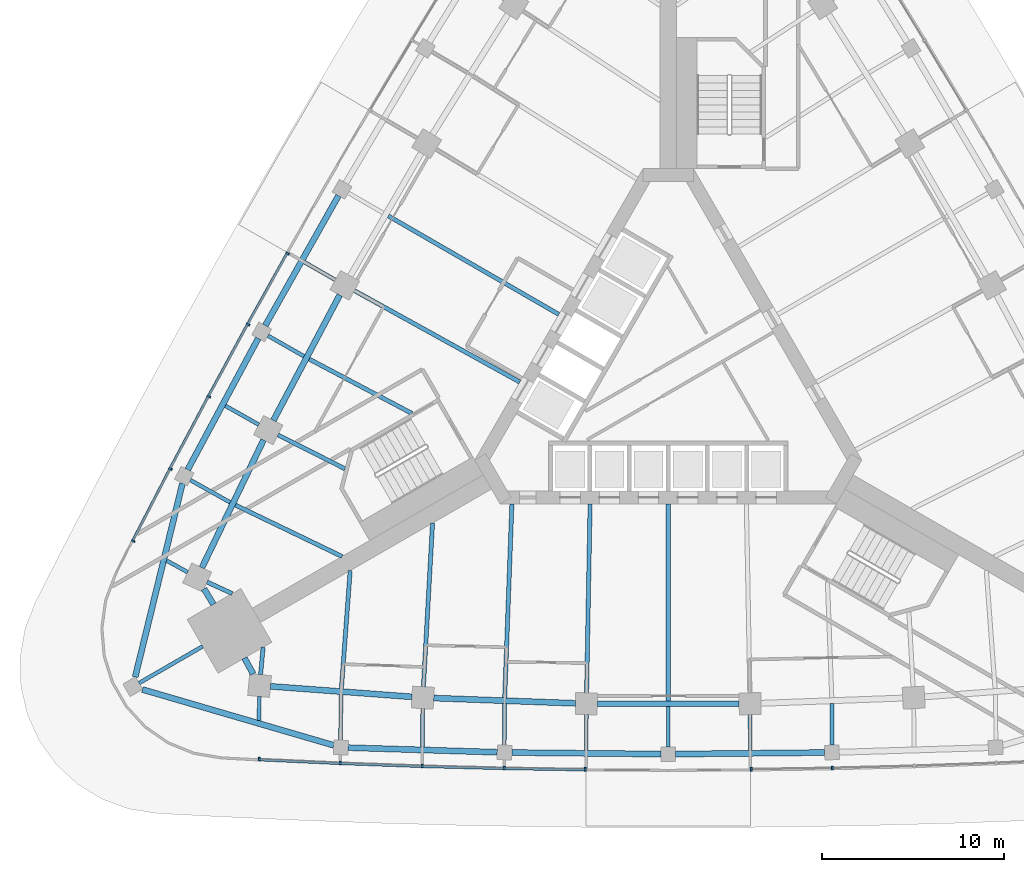
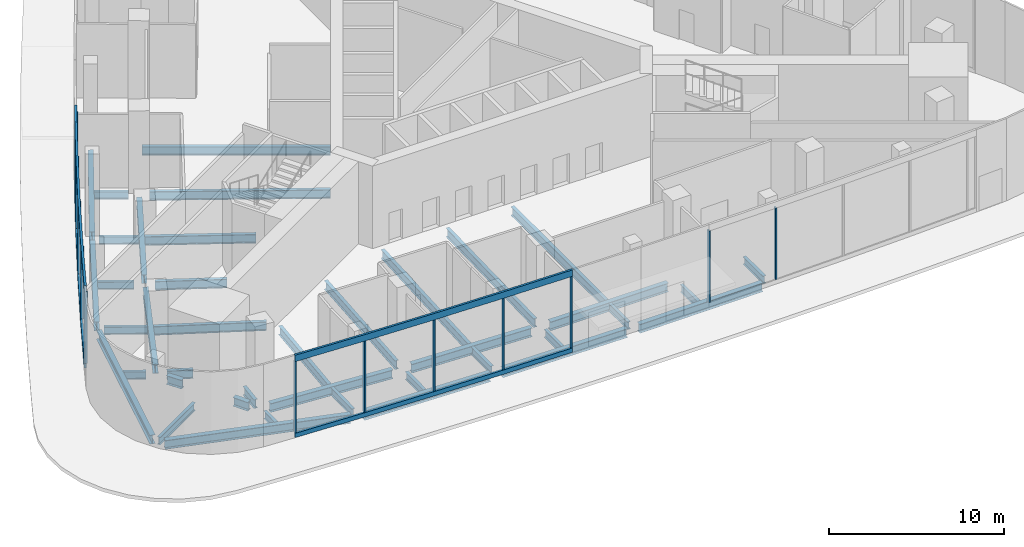
# One storey, part 2 of 14: 40 beams, 16 members, 3 elements without a shape of their own.
"""IFC4 building model written with IfcOpenShell, lengths in metres."""

from ifc_helpers import new_model, si_unit, direction, frame, origin, origin_2d, place, context, subcontext, project, spatial, polyline, rectangle, i_section, outline, extrude, material, material_profile, profile_set, type_object, element, aggregate, save


model = new_model("IFC4")

# Units and contexts
model_context = context("Model", 3, precision=1e-05, world=origin(), true_north=direction((0.0, 1.0)))
body_context = subcontext(model_context, "Body", "Model", "MODEL_VIEW")
ifc_project = project(units=[si_unit("LENGTHUNIT", "METRE"), si_unit("AREAUNIT", "SQUARE_METRE"), si_unit("VOLUMEUNIT", "CUBIC_METRE"), si_unit("PLANEANGLEUNIT", "RADIAN"), si_unit("MASSUNIT", "GRAM", prefix="KILO")], contexts=[model_context])

# Site, building, storey
site_placement = place(None, origin())
site = spatial("IfcSite", under=ifc_project, at=site_placement, CompositionType="ELEMENT")
building_placement = place(site_placement, origin())
building = spatial("IfcBuilding", under=site, at=building_placement, Name="Noor Cloister Tower", CompositionType="ELEMENT")
storey_placement = place(building_placement, origin())
storey = spatial("IfcBuildingStorey", under=building, at=storey_placement, Name="L00", CompositionType="ELEMENT", Elevation=0.0)

# Curtain wall, member
ifc_material_1 = material(Name="Aluminium 6063-T6 anodised", Category="aluminium")
curtain_wall_type = type_object("IfcCurtainWallType", Name="Station shopfront CW4", PredefinedType="NOTDEFINED", material=ifc_material_1)
curtain_wall_1_placement = place(storey_placement, origin())
curtain_wall_1 = element("IfcCurtainWall", 1, at=curtain_wall_1_placement, inside=storey, type_object=curtain_wall_type, Name="CW4 L00 NW shopfront 2", PredefinedType="NOTDEFINED")
ifc_material_2 = material(Name="Aluminium 6063-T6 anodised", Category="aluminium")
member_type_1 = type_object("IfcMemberType", Name="Head transom CW4 450", PredefinedType="USERDEFINED", material=ifc_material_2)
member_1_placement = place(storey_placement, frame((0.0, 0.0, 5.300048828125)))
member_1 = element("IfcMember", 2, at=member_1_placement, type_object=member_type_1, Name="CW4 head transom", ObjectType="TRANSOM", PredefinedType="USERDEFINED", context=body_context, shape_type="SweptSolid", body=[
    extrude(outline(polyline([(-20.9423828125, 6.89501953125), (-23.132080078125, 2.963623046875), (-25.28125, -0.98974609375), (-27.389892578125, -4.96533203125), (-29.457275390625, -8.962158203125), (-29.3330078125, -9.0263671875), (-27.265869140625, -5.0302734375), (-25.157958984375, -1.05615234375), (-23.009521484375, 2.896240234375), (-20.820068359375, 6.826904296875), (-20.9423828125, 6.89501953125)])), origin(), (0.0, 0.0, 1.0), 0.449951171875),
])

curtain_wall_2_placement = place(storey_placement, origin())
curtain_wall_2 = element("IfcCurtainWall", 3, at=curtain_wall_2_placement, inside=storey, type_object=curtain_wall_type, Name="CW4 L00 S shopfront 5", PredefinedType="NOTDEFINED")
member_2_placement = place(storey_placement, frame((0.0, 0.0, 5.300048828125)))
member_2 = element("IfcMember", 4, at=member_2_placement, type_object=member_type_1, Name="CW4 head transom", ObjectType="TRANSOM", PredefinedType="USERDEFINED", context=body_context, shape_type="SweptSolid", body=[
    extrude(outline(polyline([(-22.490234375, -21.02978515625), (-17.994873046875, -21.237548828125), (-13.497802734375, -21.3994140625), (-8.999267578125, -21.514892578125), (-4.5, -21.584228515625), (-4.497802734375, -21.444091796875), (-8.99658203125, -21.374755859375), (-13.49365234375, -21.25927734375), (-17.9892578125, -21.09765625), (-22.483642578125, -20.889892578125), (-22.490234375, -21.02978515625)])), origin(), (0.0, 0.0, 1.0), 0.449951171875),
])

# Member
ifc_material_3 = material(Name="Aluminium 6063-T6 anodised", Category="aluminium")
ifc_material_profile_1 = material_profile(ifc_material_3, rectangle(XDim=0.199951171875, YDim=0.10009765625, at=origin_2d()), Name="200 x 100 mullion")
ifc_profile_set_1 = profile_set([ifc_material_profile_1], Name="Aluminium 6063-T6 anodised")
member_type_2 = type_object("IfcMemberType", Name="Mullion CW4 100 x 200", PredefinedType="MULLION", material=ifc_profile_set_1)
member_3_placement = place(storey_placement, frame((-20.87939453125, 6.802734375, 0.300048828125), z_axis=(0.0, 0.0, 1.0), x_axis=(0.873624319016, -0.486601016464, 0.0)))
member_3 = element("IfcMember", 5, at=member_3_placement, type_object=member_type_2, Name="CW4 mullion 1", PredefinedType="MULLION", context=body_context, shape_type="SweptSolid", body=[
    extrude(rectangle(XDim=0.199951171875, YDim=0.10009765625, at=origin_2d()), origin(), (0.0, 0.0, 1.0), 5.0),
])

member_4_placement = place(storey_placement, frame((-23.04443359375, 2.91552734375, 0.300048828125), z_axis=(0.0, 0.0, 1.0), x_axis=(0.876111311066, -0.482108878391, 0.0)))
member_4 = element("IfcMember", 6, at=member_4_placement, type_object=member_type_2, Name="CW4 mullion 2", PredefinedType="MULLION", context=body_context, shape_type="SweptSolid", body=[
    extrude(rectangle(XDim=0.199951171875, YDim=0.10009765625, at=origin_2d()), origin(), (0.0, 0.0, 1.0), 5.0),
])

member_5_placement = place(storey_placement, frame((-25.193115234375, -1.037109375, 0.300048828125), z_axis=(0.0, 0.0, 1.0), x_axis=(0.881015943926, -0.473086574052, 0.0)))
member_5 = element("IfcMember", 7, at=member_5_placement, type_object=member_type_2, Name="CW4 mullion 3", PredefinedType="MULLION", context=body_context, shape_type="SweptSolid", body=[
    extrude(rectangle(XDim=0.199951171875, YDim=0.10009765625, at=origin_2d()), origin(), (0.0, 0.0, 1.0), 5.0),
])

member_6_placement = place(storey_placement, frame((-27.30126953125, -5.01171875, 0.300048828125), z_axis=(0.0, 0.0, 1.0), x_axis=(0.885827659038, -0.464014394695, 0.0)))
member_6 = element("IfcMember", 8, at=member_6_placement, type_object=member_type_2, Name="CW4 mullion 4", PredefinedType="MULLION", context=body_context, shape_type="SweptSolid", body=[
    extrude(rectangle(XDim=0.199951171875, YDim=0.10009765625, at=origin_2d()), origin(), (0.0, 0.0, 1.0), 5.0),
])

member_7_placement = place(storey_placement, frame((-29.345458984375, -8.963623046875, 0.300048828125), z_axis=(0.0, 0.0, 1.0), x_axis=(0.888198524656, -0.459459879422, 0.0)))
member_7 = element("IfcMember", 9, at=member_7_placement, type_object=member_type_2, Name="CW4 mullion 5", PredefinedType="MULLION", context=body_context, shape_type="SweptSolid", body=[
    extrude(rectangle(XDim=0.199951171875, YDim=0.10009765625, at=origin_2d()), origin(), (0.0, 0.0, 1.0), 5.0),
])

member_8_placement = place(storey_placement, frame((-22.435546875, -20.93212890625, 0.300048828125), z_axis=(0.0, 0.0, 1.0), x_axis=(0.046195334729, 0.998932425667, 0.0)))
member_8 = element("IfcMember", 10, at=member_8_placement, type_object=member_type_2, Name="CW4 mullion 1", PredefinedType="MULLION", context=body_context, shape_type="SweptSolid", body=[
    extrude(rectangle(XDim=0.199951171875, YDim=0.10009765625, at=origin_2d()), origin(), (0.0, 0.0, 1.0), 5.0),
])

member_9_placement = place(storey_placement, frame((-17.99072265625, -21.1376953125, 0.300048828125), z_axis=(0.0, 0.0, 1.0), x_axis=(0.041065575991, 0.999156453449, 0.0)))
member_9 = element("IfcMember", 11, at=member_9_placement, type_object=member_type_2, Name="CW4 mullion 2", PredefinedType="MULLION", context=body_context, shape_type="SweptSolid", body=[
    extrude(rectangle(XDim=0.199951171875, YDim=0.10009765625, at=origin_2d()), origin(), (0.0, 0.0, 1.0), 5.0),
])

member_10_placement = place(storey_placement, frame((-13.494873046875, -21.29931640625, 0.300048828125), z_axis=(0.0, 0.0, 1.0), x_axis=(0.030802980644, 0.999525475605, 0.0)))
member_10 = element("IfcMember", 12, at=member_10_placement, type_object=member_type_2, Name="CW4 mullion 3", PredefinedType="MULLION", context=body_context, shape_type="SweptSolid", body=[
    extrude(rectangle(XDim=0.199951171875, YDim=0.10009765625, at=origin_2d()), origin(), (0.0, 0.0, 1.0), 5.0),
])

member_11_placement = place(storey_placement, frame((-8.997314453125, -21.414794921875, 0.300048828125), z_axis=(0.0, 0.0, 1.0), x_axis=(0.020537119456, 0.999789091121, 0.0)))
member_11 = element("IfcMember", 13, at=member_11_placement, type_object=member_type_2, Name="CW4 mullion 4", PredefinedType="MULLION", context=body_context, shape_type="SweptSolid", body=[
    extrude(rectangle(XDim=0.199951171875, YDim=0.10009765625, at=origin_2d()), origin(), (0.0, 0.0, 1.0), 5.0),
])

member_12_placement = place(storey_placement, frame((-4.54833984375, -21.4833984375, 0.300048828125), z_axis=(0.0, 0.0, 1.0), x_axis=(0.015403317743, 0.999881361864, 0.0)))
member_12 = element("IfcMember", 14, at=member_12_placement, type_object=member_type_2, Name="CW4 mullion 5", PredefinedType="MULLION", context=body_context, shape_type="SweptSolid", body=[
    extrude(rectangle(XDim=0.199951171875, YDim=0.10009765625, at=origin_2d()), origin(), (0.0, 0.0, 1.0), 5.0),
])

# Curtain wall, members
curtain_wall_3_placement = place(storey_placement, origin())
curtain_wall_3 = element("IfcCurtainWall", 15, at=curtain_wall_3_placement, inside=storey, type_object=curtain_wall_type, Name="CW4 L00 S shopfront 6", PredefinedType="NOTDEFINED")
member_13_placement = place(storey_placement, frame((4.54833984375, -21.4833984375, 0.300048828125), z_axis=(0.0, 0.0, 1.0), x_axis=(-0.015403317743, 0.999881361864, 0.0)))
member_13 = element("IfcMember", 16, at=member_13_placement, type_object=member_type_2, Name="CW4 mullion 1", PredefinedType="MULLION", context=body_context, shape_type="SweptSolid", body=[
    extrude(rectangle(XDim=0.199951171875, YDim=0.10009765625, at=origin_2d()), origin(), (0.0, 0.0, 1.0), 5.0),
])
member_14_placement = place(storey_placement, frame((8.997314453125, -21.414794921875, 0.300048828125), z_axis=(0.0, 0.0, 1.0), x_axis=(-0.020537119456, 0.999789091121, 0.0)))
member_14 = element("IfcMember", 17, at=member_14_placement, type_object=member_type_2, Name="CW4 mullion 2", PredefinedType="MULLION", context=body_context, shape_type="SweptSolid", body=[
    extrude(rectangle(XDim=0.199951171875, YDim=0.10009765625, at=origin_2d()), origin(), (0.0, 0.0, 1.0), 5.0),
])
aggregate(curtain_wall_3, [member_13, member_14])

# Beams
ifc_material_4 = material(Name="Steel ASTM A992 Gr 50", Category="steel")
ifc_material_profile_2 = material_profile(ifc_material_4, i_section(OverallWidth=0.324951171875, OverallDepth=0.612060546875, WebThickness=0.0126953125, FlangeThickness=0.01904296875, FilletRadius=0.0126953125, at=origin_2d()), Name="W610x155")
ifc_profile_set_2 = profile_set([ifc_material_profile_2], Name="Steel ASTM A992 Gr 50")
beam_type_1 = type_object("IfcBeamType", Name="Podium column line beam W610x155", PredefinedType="BEAM", material=ifc_profile_set_2)
for number, where, z_axis, x_axis, name in (
    (18, (-18.019775390625, 4.527099609375, -0.555908203125), (-0.467547366886, -0.883968019624, 0.0), (0.883968019624, -0.467547366886, 0.0), "Podium column line beam NW 06 L00"),
    (19, (-22.197998046875, -3.420166015625, -0.555908203125), (-0.434400589533, -0.900719783181, 0.0), (0.900719783181, -0.434400589533, 0.0), "Podium column line beam NW 08 L00"),
):
    element("IfcBeam", number, at=place(storey_placement, frame(where, z_axis=z_axis, x_axis=x_axis)), inside=storey, type_object=beam_type_1, Name=name, PredefinedType="BEAM", context=body_context, shape_type="SweptSolid", body=[
        extrude(i_section(OverallWidth=0.324951171875, OverallDepth=0.612060546875, WebThickness=0.0126953125, FlangeThickness=0.01904296875, FilletRadius=0.0126953125, at=origin_2d()), origin(), (0.0, 0.0, 1.0), 7.77880859375),
    ])
for number, where, z_axis, x_axis, name in (
    (20, (-21.818359375, -16.93701171875, -0.555908203125), (0.997246218275, -0.074161850945, 0.0), (0.074161850945, 0.997246218275, 0.0), "Podium column line beam S 00 L00"),
    (21, (-12.86279296875, -17.58056640625, -0.555908203125), (0.999311691731, -0.037096398343, 0.0), (0.037096398343, 0.999311691731, 0.0), "Podium column line beam S 02 L00"),
):
    element("IfcBeam", number, at=place(storey_placement, frame(where, z_axis=z_axis, x_axis=x_axis)), inside=storey, type_object=beam_type_1, Name=name, PredefinedType="BEAM", context=body_context, shape_type="SweptSolid", body=[
        extrude(i_section(OverallWidth=0.324951171875, OverallDepth=0.612060546875, WebThickness=0.0126953125, FlangeThickness=0.01904296875, FilletRadius=0.0126953125, at=origin_2d()), origin(), (0.0, 0.0, 1.0), 7.779052734375),
    ])
beam_1_placement = place(storey_placement, frame((-3.889404296875, -17.8916015625, -0.555908203125), z_axis=(1.0, 0.0, 0.0), x_axis=(0.0, 1.0, 0.0)))
element("IfcBeam", 22, at=beam_1_placement, inside=storey, type_object=beam_type_1, Name="Podium column line beam S 04 L00", PredefinedType="BEAM", context=body_context, shape_type="SweptSolid", body=[
    extrude(i_section(OverallWidth=0.324951171875, OverallDepth=0.612060546875, WebThickness=0.0126953125, FlangeThickness=0.01904296875, FilletRadius=0.0126953125, at=origin_2d()), origin(), (0.0, 0.0, 1.0), 7.77880859375),
])
for number, where, z_axis, x_axis, name in (
    (23, (-25.46240234375, -11.58740234375, -0.555908203125), (0.517698861359, -0.855562907651, 0.0), (0.855562907651, 0.517698861359, 0.0), "Podium end beam NW 10 L00"),
    (24, (-22.76611328125, -16.257568359375, -0.555908203125), (-0.48185292196, 0.876252110753, 0.0), (-0.876252110753, -0.48185292196, 0.0), "Podium end beam S 00 L00"),
):
    element("IfcBeam", number, at=place(storey_placement, frame(where, z_axis=z_axis, x_axis=x_axis)), inside=storey, type_object=beam_type_1, Name=name, PredefinedType="BEAM", context=body_context, shape_type="SweptSolid", body=[
        extrude(i_section(OverallWidth=0.324951171875, OverallDepth=0.612060546875, WebThickness=0.0126953125, FlangeThickness=0.01904296875, FilletRadius=0.0126953125, at=origin_2d()), origin(), (0.0, 0.0, 1.0), 0.99658203125),
    ])
ifc_material_5 = material(Name="Steel ASTM A992 Gr 50", Category="steel")
ifc_material_profile_3 = material_profile(ifc_material_5, i_section(OverallWidth=0.324951171875, OverallDepth=0.616943359375, WebThickness=0.013916015625, FlangeThickness=0.021484375, FilletRadius=0.0126953125, at=origin_2d()), Name="W610x174")
ifc_profile_set_3 = profile_set([ifc_material_profile_3], Name="Steel ASTM A992 Gr 50")
beam_type_2 = type_object("IfcBeamType", Name="Podium perimeter beam W610x174", PredefinedType="BEAM", material=ifc_profile_set_3)
for number, where, z_axis, x_axis, name in (
    (25, (-18.086181640625, 9.980224609375, -0.55859375), (-0.491071539523, -0.871119247331, 0.0), (0.871119247331, -0.491071539523, 0.0), "Podium perimeter beam 04 L00"),
    (26, (-22.489013671875, 2.1533203125, -0.55859375), (-0.47307258725, -0.881023454394, 0.0), (0.881023454394, -0.47307258725, 0.0), "Podium perimeter beam 05 L00"),
):
    element("IfcBeam", number, at=place(storey_placement, frame(where, z_axis=z_axis, x_axis=x_axis)), inside=storey, type_object=beam_type_2, Name=name, PredefinedType="BEAM", context=body_context, shape_type="SweptSolid", body=[
        extrude(i_section(OverallWidth=0.324951171875, OverallDepth=0.616943359375, WebThickness=0.013916015625, FlangeThickness=0.021484375, FilletRadius=0.0126953125, at=origin_2d()), origin(), (0.0, 0.0, 1.0), 8.18017578125),
    ])
for number, where, z_axis, x_axis, name in (
    (27, (-26.64599609375, -5.806396484375, -0.55859375), (-0.237289539542, -0.971438971024, 0.0), (0.971438971024, -0.237289539542, 0.0), "Podium perimeter beam 06 L00"),
    (28, (-28.83837890625, -17.111572265625, -0.55859375), (0.959935397728, -0.280221398522, 0.0), (0.280221398522, 0.959935397728, 0.0), "Podium perimeter beam 07 L00"),
):
    element("IfcBeam", number, at=place(storey_placement, frame(where, z_axis=z_axis, x_axis=x_axis)), inside=storey, type_object=beam_type_2, Name=name, PredefinedType="BEAM", context=body_context, shape_type="SweptSolid", body=[
        extrude(i_section(OverallWidth=0.324951171875, OverallDepth=0.616943359375, WebThickness=0.013916015625, FlangeThickness=0.021484375, FilletRadius=0.0126953125, at=origin_2d()), origin(), (0.0, 0.0, 1.0), 10.924560546875),
    ])
for number, where, z_axis, x_axis, name in (
    (29, (-17.55615234375, -20.30078125, -0.55859375), (0.999525578868, -0.030799629673, 0.0), (0.030799629673, 0.999525578868, 0.0), "Podium perimeter beam 08 L00"),
    (30, (-8.579833984375, -20.569091796875, -0.55859375), (0.999947297246, -0.010266583204, 0.0), (0.010266583204, 0.999947297246, 0.0), "Podium perimeter beam 09 L00"),
    (31, (0.39990234375, -20.653076171875, -0.55859375), (0.999947297246, 0.010266583204, 0.0), (-0.010266583204, 0.999947297246, 0.0), "Podium perimeter beam 10 L00"),
):
    element("IfcBeam", number, at=place(storey_placement, frame(where, z_axis=z_axis, x_axis=x_axis)), inside=storey, type_object=beam_type_2, Name=name, PredefinedType="BEAM", context=body_context, shape_type="SweptSolid", body=[
        extrude(i_section(OverallWidth=0.324951171875, OverallDepth=0.616943359375, WebThickness=0.013916015625, FlangeThickness=0.021484375, FilletRadius=0.0126953125, at=origin_2d()), origin(), (0.0, 0.0, 1.0), 8.180419921875),
    ])
ifc_material_6 = material(Name="Steel ASTM A992 Gr 50", Category="steel")
ifc_material_profile_4 = material_profile(ifc_material_6, i_section(OverallWidth=0.22900390625, OverallDepth=0.612060546875, WebThickness=0.011962890625, FlangeThickness=0.01953125, FilletRadius=0.0126953125, at=origin_2d()), Name="W610x125")
ifc_profile_set_4 = profile_set([ifc_material_profile_4], Name="Steel ASTM A992 Gr 50")
beam_type_3 = type_object("IfcBeamType", Name="Podium radial beam W610x125", PredefinedType="BEAM", material=ifc_profile_set_4)
beam_2_placement = place(storey_placement, frame((-15.353759765625, 8.864501953125, -0.555908203125), z_axis=(0.866025607992, -0.499999646302, 0.0), x_axis=(0.499999646302, 0.866025607992, 0.0)))
element("IfcBeam", 32, at=beam_2_placement, inside=storey, type_object=beam_type_3, Name="Podium radial beam NW 05 L00", PredefinedType="BEAM", context=body_context, shape_type="SweptSolid", body=[
    extrude(i_section(OverallWidth=0.22900390625, OverallDepth=0.612060546875, WebThickness=0.011962890625, FlangeThickness=0.01953125, FilletRadius=0.0126953125, at=origin_2d()), origin(), (0.0, 0.0, 1.0), 10.80078125),
])
beam_3_placement = place(storey_placement, frame((-17.214111328125, 4.767333984375, -0.555908203125), z_axis=(0.875152039929, -0.483848020568, 0.0), x_axis=(0.483848020568, 0.875152039929, 0.0)))
element("IfcBeam", 33, at=beam_3_placement, inside=storey, type_object=beam_type_3, Name="Podium radial beam NW 06 L00", PredefinedType="BEAM", context=body_context, shape_type="SweptSolid", body=[
    extrude(i_section(OverallWidth=0.22900390625, OverallDepth=0.612060546875, WebThickness=0.011962890625, FlangeThickness=0.01953125, FilletRadius=0.0126953125, at=origin_2d()), origin(), (0.0, 0.0, 1.0), 10.364990234375),
])
beam_4_placement = place(storey_placement, frame((-19.694580078125, 1.01318359375, -0.555908203125), z_axis=(0.883972630555, -0.467538649129, 0.0), x_axis=(0.467538649129, 0.883972630555, 0.0)))
element("IfcBeam", 34, at=beam_4_placement, inside=storey, type_object=beam_type_3, Name="Podium radial beam NW 07 L00", PredefinedType="BEAM", context=body_context, shape_type="SweptSolid", body=[
    extrude(i_section(OverallWidth=0.22900390625, OverallDepth=0.612060546875, WebThickness=0.011962890625, FlangeThickness=0.01953125, FilletRadius=0.0126953125, at=origin_2d()), origin(), (0.0, 0.0, 1.0), 6.36328125),
])
beam_5_placement = place(storey_placement, frame((-21.401611328125, -3.150146484375, -0.555908203125), z_axis=(0.892482631296, -0.451081758481, 0.0), x_axis=(0.451081758481, 0.892482631296, 0.0)))
element("IfcBeam", 35, at=beam_5_placement, inside=storey, type_object=beam_type_3, Name="Podium radial beam NW 08 L00", PredefinedType="BEAM", context=body_context, shape_type="SweptSolid", body=[
    extrude(i_section(OverallWidth=0.22900390625, OverallDepth=0.612060546875, WebThickness=0.011962890625, FlangeThickness=0.01953125, FilletRadius=0.0126953125, at=origin_2d()), origin(), (0.0, 0.0, 1.0), 4.110595703125),
])
beam_6_placement = place(storey_placement, frame((-23.7412109375, -6.993896484375, -0.555908203125), z_axis=(0.900702438264, -0.43443655199, 0.0), x_axis=(0.43443655199, 0.900702438264, 0.0)))
element("IfcBeam", 36, at=beam_6_placement, inside=storey, type_object=beam_type_3, Name="Podium radial beam NW 09 L00", PredefinedType="BEAM", context=body_context, shape_type="SweptSolid", body=[
    extrude(i_section(OverallWidth=0.22900390625, OverallDepth=0.612060546875, WebThickness=0.011962890625, FlangeThickness=0.01953125, FilletRadius=0.0126953125, at=origin_2d()), origin(), (0.0, 0.0, 1.0), 6.489013671875),
])
for number, where, z_axis, x_axis, name in (
    (37, (-25.292724609375, -11.2177734375, -0.555908203125), (0.908602193803, -0.417662607157, 0.0), (0.417662607157, 0.908602193803, 0.0), "Podium radial beam NW 10 L00"),
    (38, (-22.361328125, -16.295166015625, -0.555908203125), (0.09269423525, 0.995694621233, 0.0), (-0.995694621233, 0.09269423525, 0.0), "Podium radial beam S 00 L00"),
):
    element("IfcBeam", number, at=place(storey_placement, frame(where, z_axis=z_axis, x_axis=x_axis)), inside=storey, type_object=beam_type_3, Name=name, PredefinedType="BEAM", context=body_context, shape_type="SweptSolid", body=[
        extrude(i_section(OverallWidth=0.22900390625, OverallDepth=0.612060546875, WebThickness=0.011962890625, FlangeThickness=0.01953125, FilletRadius=0.0126953125, at=origin_2d()), origin(), (0.0, 0.0, 1.0), 1.50927734375),
    ])
beam_7_placement = place(storey_placement, frame((-17.927490234375, -17.0634765625, -0.555908203125), z_axis=(0.074118366359, 0.997249451125, 0.0), x_axis=(-0.997249451125, 0.074118366359, 0.0)))
element("IfcBeam", 39, at=beam_7_placement, inside=storey, type_object=beam_type_3, Name="Podium radial beam S 01 L00", PredefinedType="BEAM", context=body_context, shape_type="SweptSolid", body=[
    extrude(i_section(OverallWidth=0.22900390625, OverallDepth=0.612060546875, WebThickness=0.011962890625, FlangeThickness=0.01953125, FilletRadius=0.0126953125, at=origin_2d()), origin(), (0.0, 0.0, 1.0), 6.489013671875),
])
beam_8_placement = place(storey_placement, frame((-13.428955078125, -16.959228515625, -0.555908203125), z_axis=(0.055623451445, 0.99845181739, 0.0), x_axis=(-0.99845181739, 0.055623451445, 0.0)))
element("IfcBeam", 40, at=beam_8_placement, inside=storey, type_object=beam_type_3, Name="Podium radial beam S 02 L00", PredefinedType="BEAM", context=body_context, shape_type="SweptSolid", body=[
    extrude(i_section(OverallWidth=0.22900390625, OverallDepth=0.612060546875, WebThickness=0.011962890625, FlangeThickness=0.01953125, FilletRadius=0.0126953125, at=origin_2d()), origin(), (0.0, 0.0, 1.0), 8.989013671875),
])
beam_9_placement = place(storey_placement, frame((-8.969970703125, -17.5625, -0.555908203125), z_axis=(0.037097363231, 0.999311655912, 0.0), x_axis=(-0.999311655912, 0.037097363231, 0.0)))
element("IfcBeam", 41, at=beam_9_placement, inside=storey, type_object=beam_type_3, Name="Podium radial beam S 03 L00", PredefinedType="BEAM", context=body_context, shape_type="SweptSolid", body=[
    extrude(i_section(OverallWidth=0.22900390625, OverallDepth=0.612060546875, WebThickness=0.011962890625, FlangeThickness=0.01953125, FilletRadius=0.0126953125, at=origin_2d()), origin(), (0.0, 0.0, 1.0), 10.6416015625),
])
beam_10_placement = place(storey_placement, frame((-4.478515625, -17.29150390625, -0.555908203125), z_axis=(0.018560692037, 0.999827735518, 0.0), x_axis=(-0.999827735518, 0.018560692037, 0.0)))
element("IfcBeam", 42, at=beam_10_placement, inside=storey, type_object=beam_type_3, Name="Podium radial beam S 04 L00", PredefinedType="BEAM", context=body_context, shape_type="SweptSolid", body=[
    extrude(i_section(OverallWidth=0.22900390625, OverallDepth=0.612060546875, WebThickness=0.011962890625, FlangeThickness=0.01953125, FilletRadius=0.0126953125, at=origin_2d()), origin(), (0.0, 0.0, 1.0), 10.364990234375),
])
beam_11_placement = place(storey_placement, frame((0.0, -17.72900390625, -0.555908203125), z_axis=(0.0, 1.0, 0.0), x_axis=(-1.0, 0.0, 0.0)))
element("IfcBeam", 43, at=beam_11_placement, inside=storey, type_object=beam_type_3, Name="Podium radial beam S 05 L00", PredefinedType="BEAM", context=body_context, shape_type="SweptSolid", body=[
    extrude(i_section(OverallWidth=0.22900390625, OverallDepth=0.612060546875, WebThickness=0.011962890625, FlangeThickness=0.01953125, FilletRadius=0.0126953125, at=origin_2d()), origin(), (0.0, 0.0, 1.0), 10.80078125),
])
ifc_material_7 = material(Name="Steel ASTM A992 Gr 50", Category="steel")
ifc_material_profile_5 = material_profile(ifc_material_7, i_section(OverallWidth=0.208984375, OverallDepth=0.532958984375, WebThickness=0.01025390625, FlangeThickness=0.015625, FilletRadius=0.0126953125, at=origin_2d()), Name="W530x92")
ifc_profile_set_5 = profile_set([ifc_material_profile_5], Name="Steel ASTM A992 Gr 50")
beam_type_4 = type_object("IfcBeamType", Name="Podium stub beam W530x92", PredefinedType="BEAM", material=ifc_profile_set_5)
beam_12_placement = place(storey_placement, frame((-18.259765625, 5.356201171875, -0.5166015625), z_axis=(-0.867389720101, 0.497629453974, 0.0), x_axis=(-0.497629453974, -0.867389720101, 0.0)))
element("IfcBeam", 44, at=beam_12_placement, inside=storey, type_object=beam_type_4, Name="Podium stub beam NW 06 L00", PredefinedType="BEAM", context=body_context, shape_type="SweptSolid", body=[
    extrude(i_section(OverallWidth=0.208984375, OverallDepth=0.532958984375, WebThickness=0.01025390625, FlangeThickness=0.015625, FilletRadius=0.0126953125, at=origin_2d()), origin(), (0.0, 0.0, 1.0), 1.95703125),
])
beam_13_placement = place(storey_placement, frame((-19.980224609375, 1.16845703125, -0.5166015625), z_axis=(-0.868954795395, 0.494891466446, 0.0), x_axis=(-0.494891466446, -0.868954795395, 0.0)))
element("IfcBeam", 45, at=beam_13_placement, inside=storey, type_object=beam_type_4, Name="Podium stub beam NW 07 L00", PredefinedType="BEAM", context=body_context, shape_type="SweptSolid", body=[
    extrude(i_section(OverallWidth=0.208984375, OverallDepth=0.532958984375, WebThickness=0.01025390625, FlangeThickness=0.015625, FilletRadius=0.0126953125, at=origin_2d()), origin(), (0.0, 0.0, 1.0), 2.277099609375),
])
beam_14_placement = place(storey_placement, frame((-22.460205078125, -2.583984375, -0.5166015625), z_axis=(-0.870610366402, 0.491973159748, 0.0), x_axis=(-0.491973159748, -0.870610366402, 0.0)))
element("IfcBeam", 46, at=beam_14_placement, inside=storey, type_object=beam_type_4, Name="Podium stub beam NW 08 L00", PredefinedType="BEAM", context=body_context, shape_type="SweptSolid", body=[
    extrude(i_section(OverallWidth=0.208984375, OverallDepth=0.532958984375, WebThickness=0.01025390625, FlangeThickness=0.015625, FilletRadius=0.0126953125, at=origin_2d()), origin(), (0.0, 0.0, 1.0), 2.1044921875),
])
beam_15_placement = place(storey_placement, frame((-24.03076171875, -6.84619140625, -0.5166015625), z_axis=(-0.872502684482, 0.488609317933, 0.0), x_axis=(-0.488609317933, -0.872502684482, 0.0)))
element("IfcBeam", 47, at=beam_15_placement, inside=storey, type_object=beam_type_4, Name="Podium stub beam NW 09 L00", PredefinedType="BEAM", context=body_context, shape_type="SweptSolid", body=[
    extrude(i_section(OverallWidth=0.208984375, OverallDepth=0.532958984375, WebThickness=0.01025390625, FlangeThickness=0.015625, FilletRadius=0.0126953125, at=origin_2d()), origin(), (0.0, 0.0, 1.0), 2.499267578125),
])
beam_16_placement = place(storey_placement, frame((-26.3642578125, -10.675537109375, -0.5166015625), z_axis=(-0.874735573686, 0.484600532531, 0.0), x_axis=(-0.484600532531, -0.874735573686, 0.0)))
element("IfcBeam", 48, at=beam_16_placement, inside=storey, type_object=beam_type_4, Name="Podium stub beam NW 10 L00", PredefinedType="BEAM", context=body_context, shape_type="SweptSolid", body=[
    extrude(i_section(OverallWidth=0.208984375, OverallDepth=0.532958984375, WebThickness=0.01025390625, FlangeThickness=0.015625, FilletRadius=0.0126953125, at=origin_2d()), origin(), (0.0, 0.0, 1.0), 1.31298828125),
])
beam_17_placement = place(storey_placement, frame((-22.427490234375, -17.494140625, -0.5166015625), z_axis=(-0.017661803966, -0.999844018175, 0.0), x_axis=(0.999844018175, -0.017661803966, 0.0)))
element("IfcBeam", 49, at=beam_17_placement, inside=storey, type_object=beam_type_4, Name="Podium stub beam S 00 L00", PredefinedType="BEAM", context=body_context, shape_type="SweptSolid", body=[
    extrude(i_section(OverallWidth=0.208984375, OverallDepth=0.532958984375, WebThickness=0.01025390625, FlangeThickness=0.015625, FilletRadius=0.0126953125, at=origin_2d()), origin(), (0.0, 0.0, 1.0), 1.313232421875),
])
beam_18_placement = place(storey_placement, frame((-17.9443359375, -17.38818359375, -0.5166015625), z_axis=(-0.013089929593, -0.999914323201, 0.0), x_axis=(0.999914323201, -0.013089929593, 0.0)))
element("IfcBeam", 50, at=beam_18_placement, inside=storey, type_object=beam_type_4, Name="Podium stub beam S 01 L00", PredefinedType="BEAM", context=body_context, shape_type="SweptSolid", body=[
    extrude(i_section(OverallWidth=0.208984375, OverallDepth=0.532958984375, WebThickness=0.01025390625, FlangeThickness=0.015625, FilletRadius=0.0126953125, at=origin_2d()), origin(), (0.0, 0.0, 1.0), 2.499267578125),
])
beam_19_placement = place(storey_placement, frame((-13.468017578125, -18.158935546875, -0.5166015625), z_axis=(-0.009163285382, -0.999958016219, 0.0), x_axis=(0.999958016219, -0.009163285382, 0.0)))
element("IfcBeam", 51, at=beam_19_placement, inside=storey, type_object=beam_type_4, Name="Podium stub beam S 02 L00", PredefinedType="BEAM", context=body_context, shape_type="SweptSolid", body=[
    extrude(i_section(OverallWidth=0.208984375, OverallDepth=0.532958984375, WebThickness=0.01025390625, FlangeThickness=0.015625, FilletRadius=0.0126953125, at=origin_2d()), origin(), (0.0, 0.0, 1.0), 2.104736328125),
])
beam_20_placement = place(storey_placement, frame((-8.978271484375, -17.887451171875, -0.5166015625), z_axis=(-0.005788925298, -0.999983244032, 0.0), x_axis=(0.999983244032, -0.005788925298, 0.0)))
element("IfcBeam", 52, at=beam_20_placement, inside=storey, type_object=beam_type_4, Name="Podium stub beam S 03 L00", PredefinedType="BEAM", context=body_context, shape_type="SweptSolid", body=[
    extrude(i_section(OverallWidth=0.208984375, OverallDepth=0.532958984375, WebThickness=0.01025390625, FlangeThickness=0.015625, FilletRadius=0.0126953125, at=origin_2d()), origin(), (0.0, 0.0, 1.0), 2.27734375),
])
beam_21_placement = place(storey_placement, frame((-4.4912109375, -18.49169921875, -0.5166015625), z_axis=(-0.002869607648, -0.999995882667, 0.0), x_axis=(0.999995882667, -0.002869607648, 0.0)))
element("IfcBeam", 53, at=beam_21_placement, inside=storey, type_object=beam_type_4, Name="Podium stub beam S 04 L00", PredefinedType="BEAM", context=body_context, shape_type="SweptSolid", body=[
    extrude(i_section(OverallWidth=0.208984375, OverallDepth=0.532958984375, WebThickness=0.01025390625, FlangeThickness=0.015625, FilletRadius=0.0126953125, at=origin_2d()), origin(), (0.0, 0.0, 1.0), 1.956787109375),
])
beam_22_placement = place(storey_placement, frame((0.0, -18.053955078125, -0.5166015625), z_axis=(0.0, -1.0, 0.0), x_axis=(1.0, 0.0, 0.0)))
element("IfcBeam", 54, at=beam_22_placement, inside=storey, type_object=beam_type_4, Name="Podium stub beam S 05 L00", PredefinedType="BEAM", context=body_context, shape_type="SweptSolid", body=[
    extrude(i_section(OverallWidth=0.208984375, OverallDepth=0.532958984375, WebThickness=0.01025390625, FlangeThickness=0.015625, FilletRadius=0.0126953125, at=origin_2d()), origin(), (0.0, 0.0, 1.0), 2.203369140625),
])
beam_23_placement = place(storey_placement, frame((4.4912109375, -18.49169921875, -0.5166015625), z_axis=(0.002869607648, -0.999995882667, 0.0), x_axis=(0.999995882667, 0.002869607648, 0.0)))
element("IfcBeam", 55, at=beam_23_placement, inside=storey, type_object=beam_type_4, Name="Podium stub beam S 06 L00", PredefinedType="BEAM", context=body_context, shape_type="SweptSolid", body=[
    extrude(i_section(OverallWidth=0.208984375, OverallDepth=0.532958984375, WebThickness=0.01025390625, FlangeThickness=0.015625, FilletRadius=0.0126953125, at=origin_2d()), origin(), (0.0, 0.0, 1.0), 1.956787109375),
])
beam_24_placement = place(storey_placement, frame((8.978271484375, -17.887451171875, -0.5166015625), z_axis=(0.005788925298, -0.999983244032, 0.0), x_axis=(0.999983244032, 0.005788925298, 0.0)))
element("IfcBeam", 56, at=beam_24_placement, inside=storey, type_object=beam_type_4, Name="Podium stub beam S 07 L00", PredefinedType="BEAM", context=body_context, shape_type="SweptSolid", body=[
    extrude(i_section(OverallWidth=0.208984375, OverallDepth=0.532958984375, WebThickness=0.01025390625, FlangeThickness=0.015625, FilletRadius=0.0126953125, at=origin_2d()), origin(), (0.0, 0.0, 1.0), 2.27734375),
])
beam_25_placement = place(storey_placement, frame((-25.538330078125, -14.744384765625, -0.5166015625), z_axis=(-0.866001699761, -0.500041054325, 0.0), x_axis=(0.500041054325, -0.866001699761, 0.0)))
element("IfcBeam", 57, at=beam_25_placement, inside=storey, type_object=beam_type_4, Name="Podium corner stub beam SW L00", PredefinedType="BEAM", context=body_context, shape_type="SweptSolid", body=[
    extrude(i_section(OverallWidth=0.208984375, OverallDepth=0.532958984375, WebThickness=0.01025390625, FlangeThickness=0.015625, FilletRadius=0.0126953125, at=origin_2d()), origin(), (0.0, 0.0, 1.0), 4.024169921875),
])

# Member
ifc_material_8 = material(Name="Aluminium 6063-T6 anodised", Category="aluminium")
member_type_3 = type_object("IfcMemberType", Name="Sill transom CW4 300", PredefinedType="USERDEFINED", material=ifc_material_8)
member_15_placement = place(storey_placement, origin())
member_15 = element("IfcMember", 58, at=member_15_placement, type_object=member_type_3, Name="CW4 sill transom", ObjectType="TRANSOM", PredefinedType="USERDEFINED", context=body_context, shape_type="SweptSolid", body=[
    extrude(outline(polyline([(-20.9423828125, 6.89501953125), (-23.132080078125, 2.963623046875), (-25.28125, -0.98974609375), (-27.389892578125, -4.96533203125), (-29.457275390625, -8.962158203125), (-29.3330078125, -9.0263671875), (-27.265869140625, -5.0302734375), (-25.157958984375, -1.05615234375), (-23.009521484375, 2.896240234375), (-20.820068359375, 6.826904296875), (-20.9423828125, 6.89501953125)])), origin(), (0.0, 0.0, 1.0), 0.300048828125),
])

aggregate(curtain_wall_1, [member_3, member_4, member_5, member_6, member_7, member_15, member_1])

member_16_placement = place(storey_placement, origin())
member_16 = element("IfcMember", 59, at=member_16_placement, type_object=member_type_3, Name="CW4 sill transom", ObjectType="TRANSOM", PredefinedType="USERDEFINED", context=body_context, shape_type="SweptSolid", body=[
    extrude(outline(polyline([(-22.490234375, -21.02978515625), (-17.994873046875, -21.237548828125), (-13.497802734375, -21.3994140625), (-8.999267578125, -21.514892578125), (-4.5, -21.584228515625), (-4.497802734375, -21.444091796875), (-8.99658203125, -21.374755859375), (-13.49365234375, -21.25927734375), (-17.9892578125, -21.09765625), (-22.483642578125, -20.889892578125), (-22.490234375, -21.02978515625)])), origin(), (0.0, 0.0, 1.0), 0.300048828125),
])

aggregate(curtain_wall_2, [member_8, member_9, member_10, member_11, member_12, member_16, member_2])

save(model, "model.ifc")
